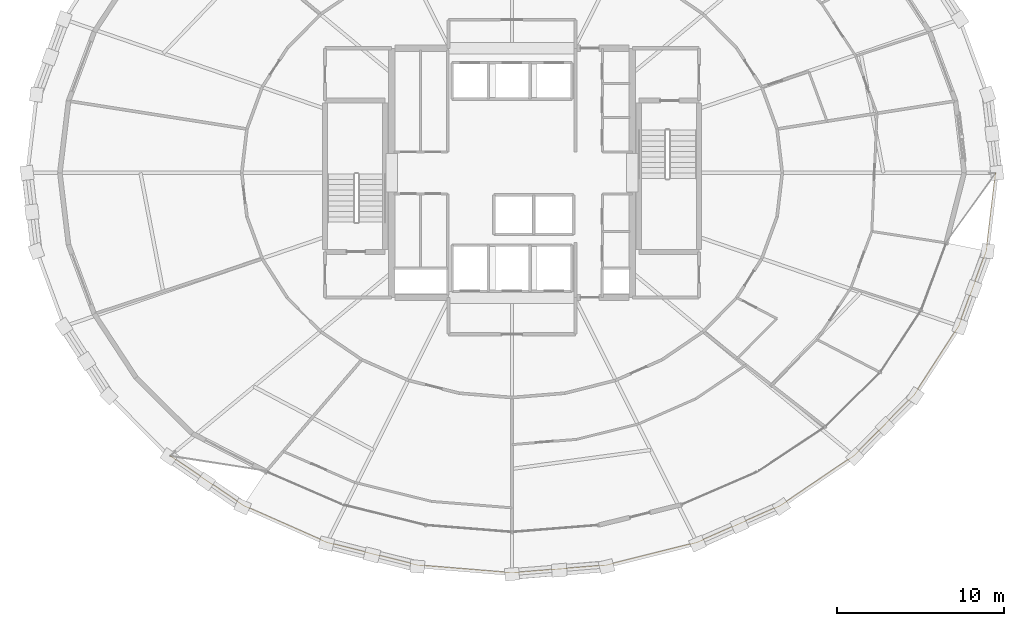
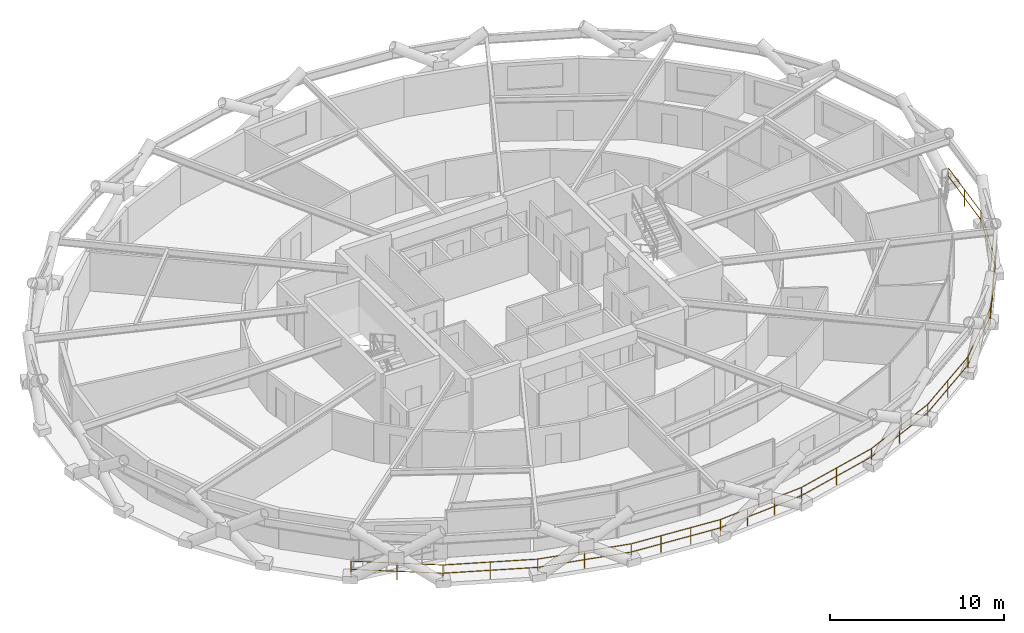
# One storey, part 21 of 22: 1 railing.
"""IFC4 building model written with IfcOpenShell, lengths in metres."""

from ifc_helpers import new_model, si_unit, direction, frame, origin, origin_2d, place, context, subcontext, project, spatial, circle, extrude, material, type_object, element, save


model = new_model("IFC4")

# Units and contexts
model_context = context("Model", 3, precision=1e-05, world=origin(), true_north=direction((0.0, 1.0)))
body_context = subcontext(model_context, "Body", "Model", "MODEL_VIEW")
ifc_project = project(units=[si_unit("LENGTHUNIT", "METRE"), si_unit("AREAUNIT", "SQUARE_METRE"), si_unit("VOLUMEUNIT", "CUBIC_METRE"), si_unit("PLANEANGLEUNIT", "RADIAN"), si_unit("MASSUNIT", "GRAM", prefix="KILO")], contexts=[model_context])

# Site, building, storey
site_placement = place(None, origin())
site = spatial("IfcSite", under=ifc_project, at=site_placement, CompositionType="ELEMENT")
building_placement = place(site_placement, origin())
building = spatial("IfcBuilding", under=site, at=building_placement, Name="Veldorina Hangang Commons", CompositionType="ELEMENT")
storey_placement = place(building_placement, frame((0.0, 0.0, 80.800048828125)))
storey = spatial("IfcBuildingStorey", under=building, at=storey_placement, Name="L20", CompositionType="ELEMENT", Elevation=80.800048828125)

# Railing
ifc_material = material(Name="Glass Laminated Safety Balustrade", Category="glass")
railing_type = type_object("IfcRailingType", Name="RL-BAL-LOGGIA", PredefinedType="BALUSTRADE", material=ifc_material)
railing_placement = place(storey_placement, frame((11.555419921875, 7.080322265625, 0.0)))
element("IfcRailing", 1, at=railing_placement, inside=storey, type_object=railing_type, Name="L20 sky-garden loggia outer balustrade", PredefinedType="BALUSTRADE", context=body_context, shape_type="SweptSolid", body=[
    extrude(circle(Radius=0.02392578125, at=origin_2d()), frame((0.0, 0.0, 1.17578125), z_axis=(0.827562959657, -0.561372913315, 0.0), x_axis=(0.561372913315, 0.827562959657, 0.0)), (0.0, 0.0, 1.0), 5.296630859375),
    extrude(circle(Radius=0.02392578125, at=origin_2d()), frame((0.0, 0.0, 0.60009765625), z_axis=(0.827562959657, -0.561372913315, 0.0), x_axis=(0.561372913315, 0.827562959657, 0.0)), (0.0, 0.0, 1.0), 5.296630859375),
    extrude(circle(Radius=0.02392578125, at=origin_2d()), frame((4.38330078125, -2.973388671875, 1.17578125), z_axis=(0.914719244989, -0.404089968754, 0.0), x_axis=(0.404089968754, 0.914719244989, 0.0)), (0.0, 0.0, 1.0), 5.46533203125),
    extrude(circle(Radius=0.02392578125, at=origin_2d()), frame((4.38330078125, -2.973388671875, 0.60009765625), z_axis=(0.914719244989, -0.404089968754, 0.0), x_axis=(0.404089968754, 0.914719244989, 0.0)), (0.0, 0.0, 1.0), 5.46533203125),
    extrude(circle(Radius=0.02392578125, at=origin_2d()), frame((9.382568359375, -5.181884765625, 1.17578125), z_axis=(0.969990758117, -0.243141788196, 0.0), x_axis=(0.243141788196, 0.969990758117, 0.0)), (0.0, 0.0, 1.0), 5.5908203125),
    extrude(circle(Radius=0.02392578125, at=origin_2d()), frame((9.382568359375, -5.181884765625, 0.60009765625), z_axis=(0.969990758117, -0.243141788196, 0.0), x_axis=(0.243141788196, 0.969990758117, 0.0)), (0.0, 0.0, 1.0), 5.5908203125),
    extrude(circle(Radius=0.02392578125, at=origin_2d()), frame((14.8056640625, -6.541259765625, 1.17578125), z_axis=(0.99670372766, -0.081127549379, 0.0), x_axis=(0.081127549379, 0.99670372766, 0.0)), (0.0, 0.0, 1.0), 5.657470703125),
    extrude(circle(Radius=0.02392578125, at=origin_2d()), frame((14.8056640625, -6.541259765625, 0.60009765625), z_axis=(0.99670372766, -0.081127549379, 0.0), x_axis=(0.081127549379, 0.99670372766, 0.0)), (0.0, 0.0, 1.0), 5.657470703125),
    extrude(circle(Radius=0.02392578125, at=origin_2d()), frame((20.444580078125, -7.000244140625, 1.17578125), z_axis=(0.99670372766, 0.081127549379, 0.0), x_axis=(-0.081127549379, 0.99670372766, 0.0)), (0.0, 0.0, 1.0), 5.657470703125),
    extrude(circle(Radius=0.02392578125, at=origin_2d()), frame((20.444580078125, -7.000244140625, 0.60009765625), z_axis=(0.99670372766, 0.081127549379, 0.0), x_axis=(-0.081127549379, 0.99670372766, 0.0)), (0.0, 0.0, 1.0), 5.657470703125),
    extrude(circle(Radius=0.02392578125, at=origin_2d()), frame((26.08349609375, -6.541259765625, 1.17578125), z_axis=(0.969990758117, 0.243141788196, 0.0), x_axis=(-0.243141788196, 0.969990758117, 0.0)), (0.0, 0.0, 1.0), 5.5908203125),
    extrude(circle(Radius=0.02392578125, at=origin_2d()), frame((26.08349609375, -6.541259765625, 0.60009765625), z_axis=(0.969990758117, 0.243141788196, 0.0), x_axis=(-0.243141788196, 0.969990758117, 0.0)), (0.0, 0.0, 1.0), 5.5908203125),
    extrude(circle(Radius=0.02392578125, at=origin_2d()), frame((31.506591796875, -5.181884765625, 1.17578125), z_axis=(0.914719244989, 0.404089968754, 0.0), x_axis=(-0.404089968754, 0.914719244989, 0.0)), (0.0, 0.0, 1.0), 5.46533203125),
    extrude(circle(Radius=0.02392578125, at=origin_2d()), frame((31.506591796875, -5.181884765625, 0.60009765625), z_axis=(0.914719244989, 0.404089968754, 0.0), x_axis=(-0.404089968754, 0.914719244989, 0.0)), (0.0, 0.0, 1.0), 5.46533203125),
    extrude(circle(Radius=0.02392578125, at=origin_2d()), frame((36.505859375, -2.973388671875, 1.17578125), z_axis=(0.827562959657, 0.561372913315, 0.0), x_axis=(-0.561372913315, 0.827562959657, 0.0)), (0.0, 0.0, 1.0), 5.296630859375),
    extrude(circle(Radius=0.02392578125, at=origin_2d()), frame((36.505859375, -2.973388671875, 0.60009765625), z_axis=(0.827562959657, 0.561372913315, 0.0), x_axis=(-0.561372913315, 0.827562959657, 0.0)), (0.0, 0.0, 1.0), 5.296630859375),
    extrude(circle(Radius=0.02392578125, at=origin_2d()), frame((40.88916015625, 0.0, 1.17578125), z_axis=(0.704472728597, 0.709731057982, 0.0), x_axis=(-0.709731057982, 0.704472728597, 0.0)), (0.0, 0.0, 1.0), 5.107177734375),
    extrude(circle(Radius=0.02392578125, at=origin_2d()), frame((40.88916015625, 0.0, 0.60009765625), z_axis=(0.704472728597, 0.709731057982, 0.0), x_axis=(-0.709731057982, 0.704472728597, 0.0)), (0.0, 0.0, 1.0), 5.107177734375),
    extrude(circle(Radius=0.02392578125, at=origin_2d()), frame((44.487060546875, 3.624755859375, 1.17578125), z_axis=(0.542932694621, 0.839776213709, 0.0), x_axis=(-0.839776213709, 0.542932694621, 0.0)), (0.0, 0.0, 1.0), 4.92578125),
    extrude(circle(Radius=0.02392578125, at=origin_2d()), frame((44.487060546875, 3.624755859375, 0.60009765625), z_axis=(0.542932694621, 0.839776213709, 0.0), x_axis=(-0.839776213709, 0.542932694621, 0.0)), (0.0, 0.0, 1.0), 4.92578125),
    extrude(circle(Radius=0.02392578125, at=origin_2d()), frame((47.161376953125, 7.76123046875, 1.17578125), z_axis=(0.344467660897, 0.938798184167, 0.0), x_axis=(-0.938798184167, 0.344467660897, 0.0)), (0.0, 0.0, 1.0), 4.781982421875),
    extrude(circle(Radius=0.02392578125, at=origin_2d()), frame((47.161376953125, 7.76123046875, 0.60009765625), z_axis=(0.344467660897, 0.938798184167, 0.0), x_axis=(-0.938798184167, 0.344467660897, 0.0)), (0.0, 0.0, 1.0), 4.781982421875),
    extrude(circle(Radius=0.02392578125, at=origin_2d()), frame((48.80859375, 12.25048828125, 1.17578125), z_axis=(0.118223860206, 0.992986968131, 0.0), x_axis=(-0.992986968131, 0.118223860206, 0.0)), (0.0, 0.0, 1.0), 4.7021484375),
    extrude(circle(Radius=0.02392578125, at=origin_2d()), frame((48.80859375, 12.25048828125, 0.60009765625), z_axis=(0.118223860206, 0.992986968131, 0.0), x_axis=(-0.992986968131, 0.118223860206, 0.0)), (0.0, 0.0, 1.0), 4.7021484375),
    extrude(circle(Radius=0.02099609375, at=origin_2d()), origin(), (0.0, 0.0, 1.0), 1.15185546875),
    extrude(circle(Radius=0.02099609375, at=origin_2d()), frame((2.191650390625, -1.48681640625, 0.0)), (0.0, 0.0, 1.0), 1.15185546875),
    extrude(circle(Radius=0.02099609375, at=origin_2d()), frame((4.38330078125, -2.973388671875, 0.0)), (0.0, 0.0, 1.0), 1.15185546875),
    extrude(circle(Radius=0.02099609375, at=origin_2d()), frame((6.8828125, -4.07763671875, 0.0)), (0.0, 0.0, 1.0), 1.15185546875),
    extrude(circle(Radius=0.02099609375, at=origin_2d()), frame((9.382568359375, -5.181884765625, 0.0)), (0.0, 0.0, 1.0), 1.15185546875),
    extrude(circle(Radius=0.02099609375, at=origin_2d()), frame((12.09423828125, -5.861572265625, 0.0)), (0.0, 0.0, 1.0), 1.15185546875),
    extrude(circle(Radius=0.02099609375, at=origin_2d()), frame((14.8056640625, -6.541259765625, 0.0)), (0.0, 0.0, 1.0), 1.15185546875),
    extrude(circle(Radius=0.02099609375, at=origin_2d()), frame((16.685302734375, -6.6943359375, 0.0)), (0.0, 0.0, 1.0), 1.15185546875),
    extrude(circle(Radius=0.02099609375, at=origin_2d()), frame((18.56494140625, -6.84716796875, 0.0)), (0.0, 0.0, 1.0), 1.15185546875),
    extrude(circle(Radius=0.02099609375, at=origin_2d()), frame((20.444580078125, -7.000244140625, 0.0)), (0.0, 0.0, 1.0), 1.15185546875),
    extrude(circle(Radius=0.02099609375, at=origin_2d()), frame((22.32421875, -6.84716796875, 0.0)), (0.0, 0.0, 1.0), 1.15185546875),
    extrude(circle(Radius=0.02099609375, at=origin_2d()), frame((24.203857421875, -6.6943359375, 0.0)), (0.0, 0.0, 1.0), 1.15185546875),
    extrude(circle(Radius=0.02099609375, at=origin_2d()), frame((26.08349609375, -6.541259765625, 0.0)), (0.0, 0.0, 1.0), 1.15185546875),
    extrude(circle(Radius=0.02099609375, at=origin_2d()), frame((28.794921875, -5.861572265625, 0.0)), (0.0, 0.0, 1.0), 1.15185546875),
    extrude(circle(Radius=0.02099609375, at=origin_2d()), frame((31.506591796875, -5.181884765625, 0.0)), (0.0, 0.0, 1.0), 1.15185546875),
    extrude(circle(Radius=0.02099609375, at=origin_2d()), frame((34.00634765625, -4.07763671875, 0.0)), (0.0, 0.0, 1.0), 1.15185546875),
    extrude(circle(Radius=0.02099609375, at=origin_2d()), frame((36.505859375, -2.973388671875, 0.0)), (0.0, 0.0, 1.0), 1.15185546875),
    extrude(circle(Radius=0.02099609375, at=origin_2d()), frame((38.697509765625, -1.48681640625, 0.0)), (0.0, 0.0, 1.0), 1.15185546875),
    extrude(circle(Radius=0.02099609375, at=origin_2d()), frame((40.88916015625, 0.0, 0.0)), (0.0, 0.0, 1.0), 1.15185546875),
    extrude(circle(Radius=0.02099609375, at=origin_2d()), frame((42.68798828125, 1.8125, 0.0)), (0.0, 0.0, 1.0), 1.15185546875),
    extrude(circle(Radius=0.02099609375, at=origin_2d()), frame((44.487060546875, 3.624755859375, 0.0)), (0.0, 0.0, 1.0), 1.15185546875),
    extrude(circle(Radius=0.02099609375, at=origin_2d()), frame((45.82421875, 5.69287109375, 0.0)), (0.0, 0.0, 1.0), 1.15185546875),
    extrude(circle(Radius=0.02099609375, at=origin_2d()), frame((47.161376953125, 7.76123046875, 0.0)), (0.0, 0.0, 1.0), 1.15185546875),
    extrude(circle(Radius=0.02099609375, at=origin_2d()), frame((47.98486328125, 10.005859375, 0.0)), (0.0, 0.0, 1.0), 1.15185546875),
    extrude(circle(Radius=0.02099609375, at=origin_2d()), frame((48.80859375, 12.25048828125, 0.0)), (0.0, 0.0, 1.0), 1.15185546875),
    extrude(circle(Radius=0.02099609375, at=origin_2d()), frame((49.08642578125, 14.5849609375, 0.0)), (0.0, 0.0, 1.0), 1.15185546875),
    extrude(circle(Radius=0.02099609375, at=origin_2d()), frame((49.364501953125, 16.919677734375, 0.0)), (0.0, 0.0, 1.0), 1.15185546875),
])

save(model, "model.ifc")
